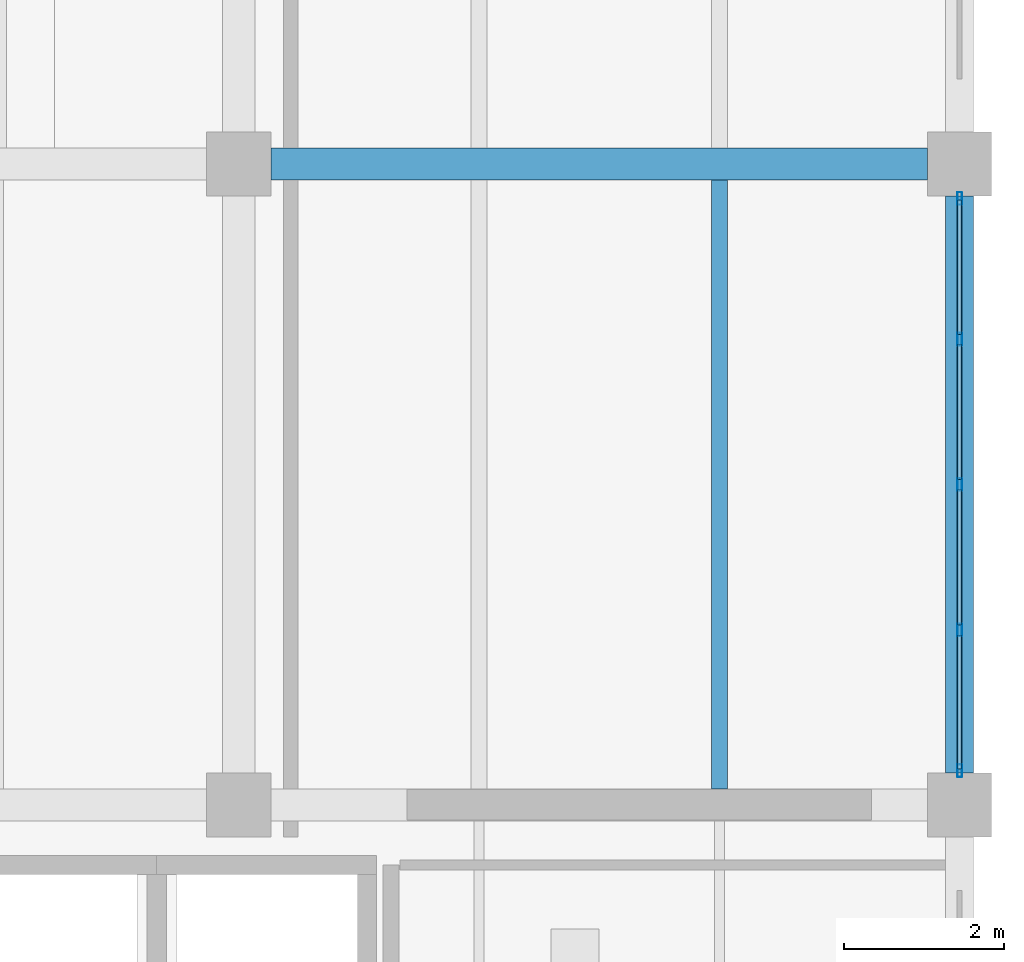
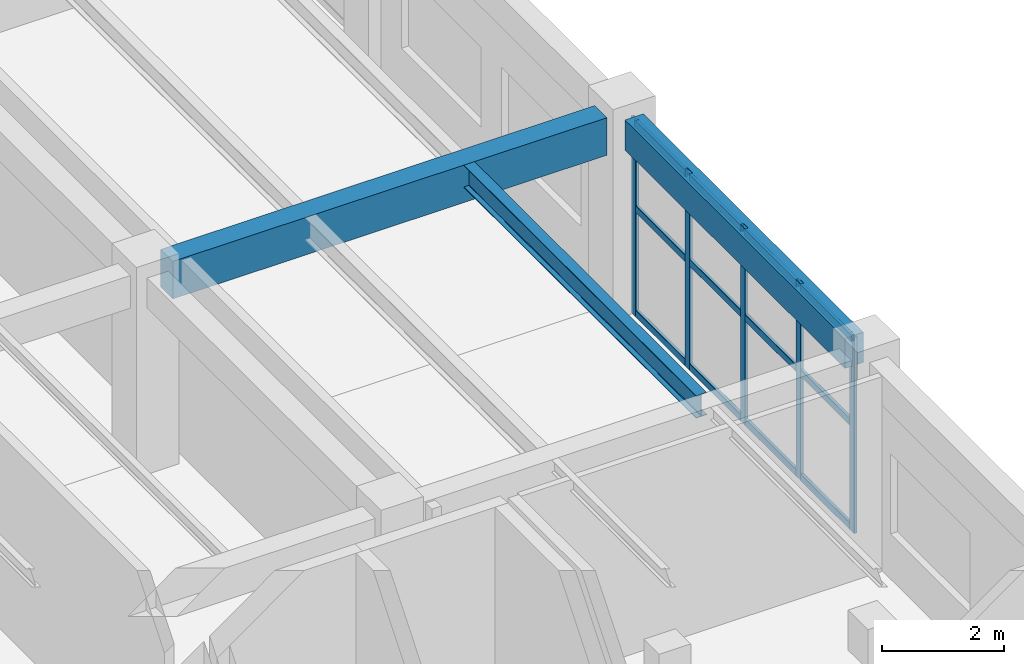
# One storey, part 106 of 148: 17 members, 3 beams, 1 element without a shape of its own.
"""IFC4 building model written with IfcOpenShell, lengths in metres."""

from ifc_helpers import new_model, si_unit, derived_unit, direction, frame, origin, origin_2d, place, context, subcontext, project, spatial, rectangle, hollow_rectangle, i_section, extrude, material, material_profile, profile_set, type_object, element, aggregate, save


model = new_model("IFC4")

# Units and contexts
model_context = context("Model", 3, precision=1e-05, world=origin(), true_north=direction((0.0, 1.0)))
body_context = subcontext(model_context, "Body", "Model", "MODEL_VIEW")
ifc_project = project(units=[si_unit("LENGTHUNIT", "METRE"), si_unit("AREAUNIT", "SQUARE_METRE"), si_unit("VOLUMEUNIT", "CUBIC_METRE"), si_unit("PLANEANGLEUNIT", "RADIAN"), si_unit("MASSUNIT", "GRAM", prefix="KILO"), derived_unit("THERMALTRANSMITTANCEUNIT", [(si_unit("MASSUNIT", "GRAM", prefix="KILO"), 1), (si_unit("TIMEUNIT", "SECOND"), -3), (si_unit("THERMODYNAMICTEMPERATUREUNIT", "KELVIN"), -1)])], contexts=[model_context])

# Site, building, storey
site_placement = place(None, origin())
site = spatial("IfcSite", under=ifc_project, at=site_placement, CompositionType="ELEMENT")
building_placement = place(site_placement, origin())
building = spatial("IfcBuilding", under=site, at=building_placement, Name="Zhenchuan Archway Interchange", CompositionType="ELEMENT")
storey_placement = place(building_placement, frame((0.0, 0.0, 10.199951171875)))
storey = spatial("IfcBuildingStorey", under=building, at=storey_placement, Name="L02", CompositionType="ELEMENT", Elevation=10.199951171875)

# Beam
ifc_material_1 = material(Name="Concrete C40", Category="concrete")
ifc_material_profile_1 = material_profile(ifc_material_1, rectangle(XDim=0.39990234375, YDim=0.75, at=origin_2d()), Name="RC 400x750")
ifc_profile_set_1 = profile_set([ifc_material_profile_1], Name="Concrete C40")
beam_type_1 = type_object("IfcBeamType", Name="BM_RC_400x750", PredefinedType="BEAM", material=ifc_profile_set_1)
beam_1_placement = place(storey_placement, frame((162.39990234375, 72.0, 3.545166015625), z_axis=(1.0, 0.0, 0.0), x_axis=(0.0, 1.0, 0.0)))
element("IfcBeam", 1, at=beam_1_placement, inside=storey, type_object=beam_type_1, Name="Beam K:19-20 (L02)", PredefinedType="BEAM", context=body_context, shape_type="SweptSolid", body=[
    extrude(rectangle(XDim=0.39990234375, YDim=0.75, at=origin_2d()), origin(), (0.0, 0.0, 1.0), 8.2001953125),
])

# Curtain wall, members
ifc_material_2 = material(Name="Anodised Aluminium", Category="aluminium")
curtain_wall_type = type_object("IfcCurtainWallType", Name="CW_UNIT_2", PredefinedType="NOTDEFINED", material=ifc_material_2)
curtain_wall_placement = place(storey_placement, origin())
curtain_wall = element("IfcCurtainWall", 2, at=curtain_wall_placement, inside=storey, type_object=curtain_wall_type, Name="Unitised curtain wall CW:L02:153", PredefinedType="NOTDEFINED")
ifc_material_profile_2 = material_profile(ifc_material_2, hollow_rectangle(XDim=0.06005859375, YDim=0.159912109375, WallThickness=0.00390625, InnerFilletRadius=0.00390625, OuterFilletRadius=0.008056640625, at=origin_2d()), Name="ALU 160x60x4")
ifc_profile_set_2 = profile_set([ifc_material_profile_2], Name="Anodised Aluminium")
member_type_1 = type_object("IfcMemberType", Name="CW_MUL_150", PredefinedType="MULLION", material=ifc_profile_set_2)
member_1_placement = place(storey_placement, frame((171.0, 71.572021484375, 0.0), z_axis=(0.0, 0.0, 1.0), x_axis=(1.0, 0.0, 0.0)))
member_1 = element("IfcMember", 3, at=member_1_placement, type_object=member_type_1, Name="CW:L02:153 mullion 0", PredefinedType="MULLION", context=body_context, shape_type="SweptSolid", body=[
    extrude(hollow_rectangle(XDim=0.06005859375, YDim=0.159912109375, WallThickness=0.00390625, InnerFilletRadius=0.00390625, OuterFilletRadius=0.008056640625, at=origin_2d()), origin(), (0.0, 0.0, 1.0), 3.920166015625),
])
member_2_placement = place(storey_placement, frame((171.0, 69.81591796875, 0.0), z_axis=(0.0, 0.0, 1.0), x_axis=(1.0, 0.0, 0.0)))
member_2 = element("IfcMember", 4, at=member_2_placement, type_object=member_type_1, Name="CW:L02:153 mullion 1", PredefinedType="MULLION", context=body_context, shape_type="SweptSolid", body=[
    extrude(hollow_rectangle(XDim=0.06005859375, YDim=0.159912109375, WallThickness=0.00390625, InnerFilletRadius=0.00390625, OuterFilletRadius=0.008056640625, at=origin_2d()), origin(), (0.0, 0.0, 1.0), 3.920166015625),
])
member_3_placement = place(storey_placement, frame((171.0, 68.0, 0.0), z_axis=(0.0, 0.0, 1.0), x_axis=(1.0, 0.0, 0.0)))
member_3 = element("IfcMember", 5, at=member_3_placement, type_object=member_type_1, Name="CW:L02:153 mullion 2", PredefinedType="MULLION", context=body_context, shape_type="SweptSolid", body=[
    extrude(hollow_rectangle(XDim=0.06005859375, YDim=0.159912109375, WallThickness=0.00390625, InnerFilletRadius=0.00390625, OuterFilletRadius=0.008056640625, at=origin_2d()), origin(), (0.0, 0.0, 1.0), 3.920166015625),
])
member_4_placement = place(storey_placement, frame((171.0, 66.18408203125, 0.0), z_axis=(0.0, 0.0, 1.0), x_axis=(1.0, 0.0, 0.0)))
member_4 = element("IfcMember", 6, at=member_4_placement, type_object=member_type_1, Name="CW:L02:153 mullion 3", PredefinedType="MULLION", context=body_context, shape_type="SweptSolid", body=[
    extrude(hollow_rectangle(XDim=0.06005859375, YDim=0.159912109375, WallThickness=0.00390625, InnerFilletRadius=0.00390625, OuterFilletRadius=0.008056640625, at=origin_2d()), origin(), (0.0, 0.0, 1.0), 3.920166015625),
])
member_5_placement = place(storey_placement, frame((171.0, 64.427978515625, 0.0), z_axis=(0.0, 0.0, 1.0), x_axis=(1.0, 0.0, 0.0)))
member_5 = element("IfcMember", 7, at=member_5_placement, type_object=member_type_1, Name="CW:L02:153 mullion 4", PredefinedType="MULLION", context=body_context, shape_type="SweptSolid", body=[
    extrude(hollow_rectangle(XDim=0.06005859375, YDim=0.159912109375, WallThickness=0.00390625, InnerFilletRadius=0.00390625, OuterFilletRadius=0.008056640625, at=origin_2d()), origin(), (0.0, 0.0, 1.0), 3.920166015625),
])
ifc_material_profile_3 = material_profile(ifc_material_2, hollow_rectangle(XDim=0.06005859375, YDim=0.139892578125, WallThickness=0.00341796875, InnerFilletRadius=0.00341796875, OuterFilletRadius=0.007080078125, at=origin_2d()), Name="ALU 140x60x3.5")
ifc_profile_set_3 = profile_set([ifc_material_profile_3], Name="Anodised Aluminium")
member_type_2 = type_object("IfcMemberType", Name="CW_TRN_140", PredefinedType="USERDEFINED", material=ifc_profile_set_3)
member_6_placement = place(storey_placement, frame((171.0, 71.552001953125, 0.06005859375), z_axis=(0.0, -1.0, 0.0), x_axis=(1.0, 0.0, 0.0)))
member_6 = element("IfcMember", 8, at=member_6_placement, type_object=member_type_2, Name="CW:L02:153 transom 0-1", ObjectType="TRANSOM", PredefinedType="USERDEFINED", context=body_context, shape_type="SweptSolid", body=[
    extrude(hollow_rectangle(XDim=0.06005859375, YDim=0.139892578125, WallThickness=0.00341796875, InnerFilletRadius=0.00341796875, OuterFilletRadius=0.007080078125, at=origin_2d()), origin(), (0.0, 0.0, 1.0), 1.676025390625),
])
member_7_placement = place(storey_placement, frame((171.0, 71.552001953125, 2.14501953125), z_axis=(0.0, -1.0, 0.0), x_axis=(1.0, 0.0, 0.0)))
member_7 = element("IfcMember", 9, at=member_7_placement, type_object=member_type_2, Name="CW:L02:153 transom 0-2", ObjectType="TRANSOM", PredefinedType="USERDEFINED", context=body_context, shape_type="SweptSolid", body=[
    extrude(hollow_rectangle(XDim=0.06005859375, YDim=0.139892578125, WallThickness=0.00341796875, InnerFilletRadius=0.00341796875, OuterFilletRadius=0.007080078125, at=origin_2d()), origin(), (0.0, 0.0, 1.0), 1.676025390625),
])
member_8_placement = place(storey_placement, frame((171.0, 71.552001953125, 3.840087890625), z_axis=(0.0, -1.0, 0.0), x_axis=(1.0, 0.0, 0.0)))
member_8 = element("IfcMember", 10, at=member_8_placement, type_object=member_type_2, Name="CW:L02:153 transom 0-3", ObjectType="TRANSOM", PredefinedType="USERDEFINED", context=body_context, shape_type="SweptSolid", body=[
    extrude(hollow_rectangle(XDim=0.06005859375, YDim=0.139892578125, WallThickness=0.00341796875, InnerFilletRadius=0.00341796875, OuterFilletRadius=0.007080078125, at=origin_2d()), origin(), (0.0, 0.0, 1.0), 1.676025390625),
])
member_9_placement = place(storey_placement, frame((171.0, 69.756103515625, 0.06005859375), z_axis=(0.0, -1.0, 0.0), x_axis=(1.0, 0.0, 0.0)))
member_9 = element("IfcMember", 11, at=member_9_placement, type_object=member_type_2, Name="CW:L02:153 transom 1-1", ObjectType="TRANSOM", PredefinedType="USERDEFINED", context=body_context, shape_type="SweptSolid", body=[
    extrude(hollow_rectangle(XDim=0.06005859375, YDim=0.139892578125, WallThickness=0.00341796875, InnerFilletRadius=0.00341796875, OuterFilletRadius=0.007080078125, at=origin_2d()), origin(), (0.0, 0.0, 1.0), 1.696044921875),
])
member_10_placement = place(storey_placement, frame((171.0, 69.756103515625, 2.14501953125), z_axis=(0.0, -1.0, 0.0), x_axis=(1.0, 0.0, 0.0)))
member_10 = element("IfcMember", 12, at=member_10_placement, type_object=member_type_2, Name="CW:L02:153 transom 1-2", ObjectType="TRANSOM", PredefinedType="USERDEFINED", context=body_context, shape_type="SweptSolid", body=[
    extrude(hollow_rectangle(XDim=0.06005859375, YDim=0.139892578125, WallThickness=0.00341796875, InnerFilletRadius=0.00341796875, OuterFilletRadius=0.007080078125, at=origin_2d()), origin(), (0.0, 0.0, 1.0), 1.696044921875),
])
member_11_placement = place(storey_placement, frame((171.0, 69.756103515625, 3.840087890625), z_axis=(0.0, -1.0, 0.0), x_axis=(1.0, 0.0, 0.0)))
member_11 = element("IfcMember", 13, at=member_11_placement, type_object=member_type_2, Name="CW:L02:153 transom 1-3", ObjectType="TRANSOM", PredefinedType="USERDEFINED", context=body_context, shape_type="SweptSolid", body=[
    extrude(hollow_rectangle(XDim=0.06005859375, YDim=0.139892578125, WallThickness=0.00341796875, InnerFilletRadius=0.00341796875, OuterFilletRadius=0.007080078125, at=origin_2d()), origin(), (0.0, 0.0, 1.0), 1.696044921875),
])
member_12_placement = place(storey_placement, frame((171.0, 67.93994140625, 0.06005859375), z_axis=(0.0, -1.0, 0.0), x_axis=(1.0, 0.0, 0.0)))
member_12 = element("IfcMember", 14, at=member_12_placement, type_object=member_type_2, Name="CW:L02:153 transom 2-1", ObjectType="TRANSOM", PredefinedType="USERDEFINED", context=body_context, shape_type="SweptSolid", body=[
    extrude(hollow_rectangle(XDim=0.06005859375, YDim=0.139892578125, WallThickness=0.00341796875, InnerFilletRadius=0.00341796875, OuterFilletRadius=0.007080078125, at=origin_2d()), origin(), (0.0, 0.0, 1.0), 1.696044921875),
])
member_13_placement = place(storey_placement, frame((171.0, 67.93994140625, 2.14501953125), z_axis=(0.0, -1.0, 0.0), x_axis=(1.0, 0.0, 0.0)))
member_13 = element("IfcMember", 15, at=member_13_placement, type_object=member_type_2, Name="CW:L02:153 transom 2-2", ObjectType="TRANSOM", PredefinedType="USERDEFINED", context=body_context, shape_type="SweptSolid", body=[
    extrude(hollow_rectangle(XDim=0.06005859375, YDim=0.139892578125, WallThickness=0.00341796875, InnerFilletRadius=0.00341796875, OuterFilletRadius=0.007080078125, at=origin_2d()), origin(), (0.0, 0.0, 1.0), 1.696044921875),
])
member_14_placement = place(storey_placement, frame((171.0, 67.93994140625, 3.840087890625), z_axis=(0.0, -1.0, 0.0), x_axis=(1.0, 0.0, 0.0)))
member_14 = element("IfcMember", 16, at=member_14_placement, type_object=member_type_2, Name="CW:L02:153 transom 2-3", ObjectType="TRANSOM", PredefinedType="USERDEFINED", context=body_context, shape_type="SweptSolid", body=[
    extrude(hollow_rectangle(XDim=0.06005859375, YDim=0.139892578125, WallThickness=0.00341796875, InnerFilletRadius=0.00341796875, OuterFilletRadius=0.007080078125, at=origin_2d()), origin(), (0.0, 0.0, 1.0), 1.696044921875),
])
member_15_placement = place(storey_placement, frame((171.0, 66.1240234375, 0.06005859375), z_axis=(0.0, -1.0, 0.0), x_axis=(1.0, 0.0, 0.0)))
member_15 = element("IfcMember", 17, at=member_15_placement, type_object=member_type_2, Name="CW:L02:153 transom 3-1", ObjectType="TRANSOM", PredefinedType="USERDEFINED", context=body_context, shape_type="SweptSolid", body=[
    extrude(hollow_rectangle(XDim=0.06005859375, YDim=0.139892578125, WallThickness=0.00341796875, InnerFilletRadius=0.00341796875, OuterFilletRadius=0.007080078125, at=origin_2d()), origin(), (0.0, 0.0, 1.0), 1.676025390625),
])
member_16_placement = place(storey_placement, frame((171.0, 66.1240234375, 2.14501953125), z_axis=(0.0, -1.0, 0.0), x_axis=(1.0, 0.0, 0.0)))
member_16 = element("IfcMember", 18, at=member_16_placement, type_object=member_type_2, Name="CW:L02:153 transom 3-2", ObjectType="TRANSOM", PredefinedType="USERDEFINED", context=body_context, shape_type="SweptSolid", body=[
    extrude(hollow_rectangle(XDim=0.06005859375, YDim=0.139892578125, WallThickness=0.00341796875, InnerFilletRadius=0.00341796875, OuterFilletRadius=0.007080078125, at=origin_2d()), origin(), (0.0, 0.0, 1.0), 1.676025390625),
])
member_17_placement = place(storey_placement, frame((171.0, 66.1240234375, 3.840087890625), z_axis=(0.0, -1.0, 0.0), x_axis=(1.0, 0.0, 0.0)))
member_17 = element("IfcMember", 19, at=member_17_placement, type_object=member_type_2, Name="CW:L02:153 transom 3-3", ObjectType="TRANSOM", PredefinedType="USERDEFINED", context=body_context, shape_type="SweptSolid", body=[
    extrude(hollow_rectangle(XDim=0.06005859375, YDim=0.139892578125, WallThickness=0.00341796875, InnerFilletRadius=0.00341796875, OuterFilletRadius=0.007080078125, at=origin_2d()), origin(), (0.0, 0.0, 1.0), 1.676025390625),
])
aggregate(curtain_wall, [member_1, member_2, member_3, member_4, member_5, member_6, member_7, member_8, member_9, member_10, member_11, member_12, member_13, member_14, member_15, member_16, member_17])

# Beams
ifc_material_3 = material(Name="Steel Q355", Category="steel")
ifc_material_profile_4 = material_profile(ifc_material_3, i_section(OverallWidth=0.199951171875, OverallDepth=0.449951171875, WebThickness=0.009033203125, FlangeThickness=0.013916015625, FilletRadius=0.01806640625, at=origin_2d()), Name="HN 450x200")
ifc_profile_set_4 = profile_set([ifc_material_profile_4], Name="Steel Q355")
beam_type_2 = type_object("IfcBeamType", Name="JST_STL_HN450", PredefinedType="JOIST", material=ifc_profile_set_4)
beam_2_placement = place(storey_placement, frame((168.0, 64.199951171875, 3.695068359375), z_axis=(0.0, 1.0, 0.0), x_axis=(-1.0, 0.0, 0.0)))
element("IfcBeam", 20, at=beam_2_placement, inside=storey, type_object=beam_type_2, Name="Secondary joist 19-20/J-K #2 (L02)", PredefinedType="JOIST", context=body_context, shape_type="SweptSolid", body=[
    extrude(i_section(OverallWidth=0.199951171875, OverallDepth=0.449951171875, WebThickness=0.009033203125, FlangeThickness=0.013916015625, FilletRadius=0.01806640625, at=origin_2d()), origin(), (0.0, 0.0, 1.0), 7.60009765625),
])
ifc_material_profile_5 = material_profile(ifc_material_1, rectangle(XDim=0.35009765625, YDim=0.60009765625, at=origin_2d()), Name="RC 350x600")
ifc_profile_set_5 = profile_set([ifc_material_profile_5], Name="Concrete C40")
beam_type_3 = type_object("IfcBeamType", Name="SP_RC_350x600", PredefinedType="SPANDREL", material=ifc_profile_set_5)
beam_3_placement = place(storey_placement, frame((171.0, 64.39990234375, 3.6201171875), z_axis=(0.0, 1.0, 0.0), x_axis=(-1.0, 0.0, 0.0)))
element("IfcBeam", 21, at=beam_3_placement, inside=storey, type_object=beam_type_3, Name="Beam 20:J-K (L02)", PredefinedType="SPANDREL", context=body_context, shape_type="SweptSolid", body=[
    extrude(rectangle(XDim=0.35009765625, YDim=0.60009765625, at=origin_2d()), origin(), (0.0, 0.0, 1.0), 7.2001953125),
])

save(model, "model.ifc")
